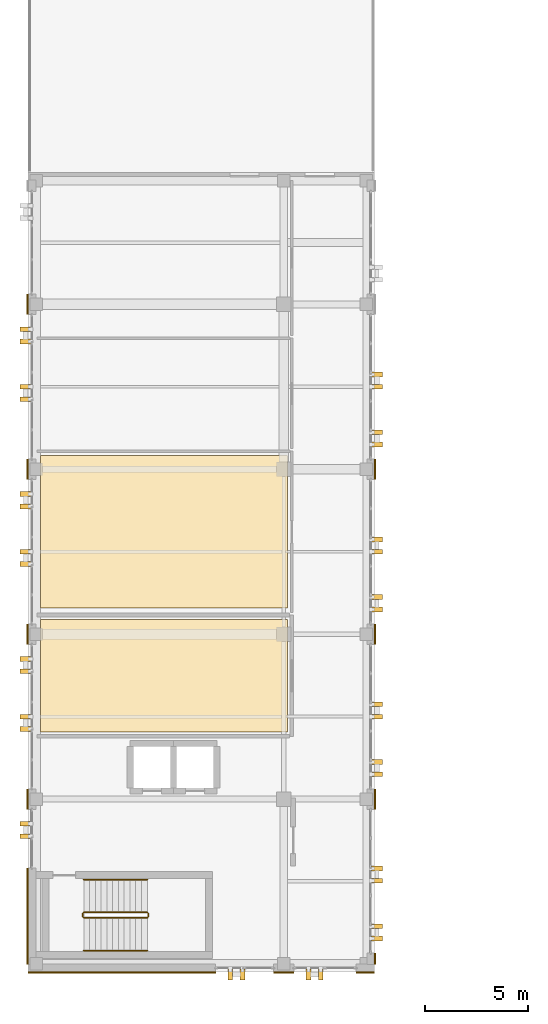
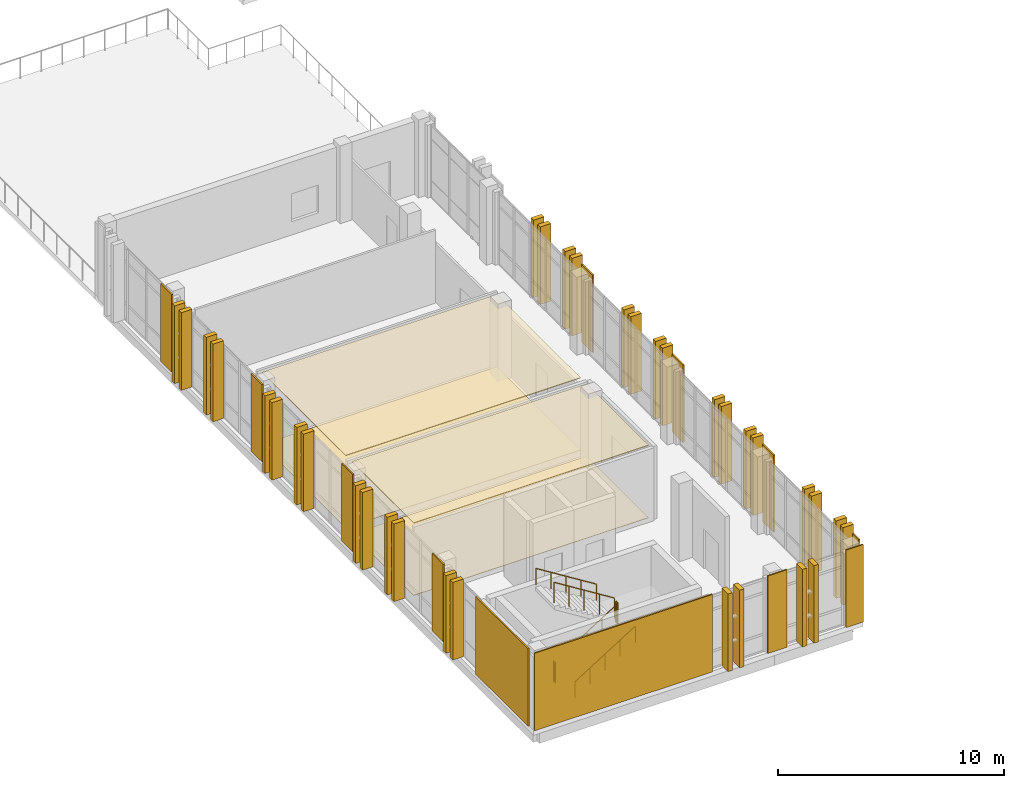
# One storey, part 69 of 77: 50 coverings, 6 railings.
"""IFC4 building model written with IfcOpenShell, lengths in metres."""

from ifc_helpers import new_model, si_unit, direction, frame, origin, origin_2d, place, context, subcontext, project, spatial, polyline, rectangle, circle, outline, extrude, material, layer, layer_set, type_object, element, save


model = new_model("IFC4")

# Units and contexts
model_context = context("Model", 3, precision=1e-05, world=origin(), true_north=direction((0.0, 1.0)))
body_context = subcontext(model_context, "Body", "Model", "MODEL_VIEW")
ifc_project = project(units=[si_unit("LENGTHUNIT", "METRE"), si_unit("AREAUNIT", "SQUARE_METRE"), si_unit("VOLUMEUNIT", "CUBIC_METRE"), si_unit("PLANEANGLEUNIT", "RADIAN"), si_unit("MASSUNIT", "GRAM", prefix="KILO")], contexts=[model_context])

# Site, building, storey
site_placement = place(None, origin())
site = spatial("IfcSite", under=ifc_project, at=site_placement, CompositionType="ELEMENT")
building_placement = place(site_placement, origin())
building = spatial("IfcBuilding", under=site, at=building_placement, Name="Qalavern Law Courts", CompositionType="ELEMENT")
storey_placement = place(building_placement, frame((0.0, 0.0, 27.0)))
storey = spatial("IfcBuildingStorey", under=building, at=storey_placement, Name="L06", CompositionType="ELEMENT", Elevation=27.0)

# Coverings
ifc_material_1 = material(Name="Precast concrete C40/50", Category="concrete")
ifc_layer_1 = layer(ifc_material_1, 0.22998046875)
ifc_layer_set_1 = layer_set([ifc_layer_1], Name="Precast concrete C40/50")
covering_type_1 = type_object("IfcCoveringType", Name="ENV-BLD-2", PredefinedType="CLADDING", material=ifc_layer_set_1)
for number, where, z_axis, x_axis, name in (
    (1, (11.800048828125, 40.89501953125, 0.005126953125), (0.0, 0.0, 1.0), (0.0, -1.0, 0.0), "Absheron stone facade blade 0459"),
    (2, (12.39990234375, 40.89501953125, 0.005126953125), (0.0, 0.0, 1.0), (0.0, -1.0, 0.0), "Absheron stone facade blade 0460"),
    (3, (15.60009765625, 40.89501953125, 0.005126953125), (0.0, 0.0, 1.0), (0.0, -1.0, 0.0), "Absheron stone facade blade 0461"),
    (4, (16.199951171875, 40.89501953125, 0.005126953125), (0.0, 0.0, 1.0), (0.0, -1.0, 0.0), "Absheron stone facade blade 0462"),
    (5, (18.925048828125, 42.635009765625, 0.005126953125), (0.0, 0.0, 1.0), (1.0, 0.0, 0.0), "Absheron stone facade blade 0463"),
    (6, (18.925048828125, 43.235107421875, 0.005126953125), (0.0, 0.0, 1.0), (1.0, 0.0, 0.0), "Absheron stone facade blade 0464"),
    (7, (18.925048828125, 45.43505859375, 0.005126953125), (0.0, 0.0, 1.0), (1.0, 0.0, 0.0), "Absheron stone facade blade 0465"),
    (8, (18.925048828125, 46.034912109375, 0.005126953125), (0.0, 0.0, 1.0), (1.0, 0.0, 0.0), "Absheron stone facade blade 0466"),
    (9, (18.925048828125, 50.60009765625, 0.005126953125), (0.0, 0.0, 1.0), (1.0, 0.0, 0.0), "Absheron stone facade blade 0467"),
    (10, (18.925048828125, 51.199951171875, 0.005126953125), (0.0, 0.0, 1.0), (1.0, 0.0, 0.0), "Absheron stone facade blade 0468"),
    (11, (18.925048828125, 53.39990234375, 0.005126953125), (0.0, 0.0, 1.0), (1.0, 0.0, 0.0), "Absheron stone facade blade 0469"),
    (12, (18.925048828125, 54.0, 0.005126953125), (0.0, 0.0, 1.0), (1.0, 0.0, 0.0), "Absheron stone facade blade 0470"),
    (13, (18.925048828125, 58.60009765625, 0.005126953125), (0.0, 0.0, 1.0), (1.0, 0.0, 0.0), "Absheron stone facade blade 0471"),
    (14, (18.925048828125, 59.199951171875, 0.005126953125), (0.0, 0.0, 1.0), (1.0, 0.0, 0.0), "Absheron stone facade blade 0472"),
    (15, (18.925048828125, 61.39990234375, 0.005126953125), (0.0, 0.0, 1.0), (1.0, 0.0, 0.0), "Absheron stone facade blade 0473"),
    (16, (18.925048828125, 62.0, 0.005126953125), (0.0, 0.0, 1.0), (1.0, 0.0, 0.0), "Absheron stone facade blade 0474"),
    (17, (18.925048828125, 66.60009765625, 0.005126953125), (0.0, 0.0, 1.0), (1.0, 0.0, 0.0), "Absheron stone facade blade 0475"),
    (18, (18.925048828125, 67.199951171875, 0.005126953125), (0.0, 0.0, 1.0), (1.0, 0.0, 0.0), "Absheron stone facade blade 0476"),
    (19, (18.925048828125, 69.39990234375, 0.005126953125), (0.0, 0.0, 1.0), (1.0, 0.0, 0.0), "Absheron stone facade blade 0477"),
    (20, (18.925048828125, 70.0, 0.005126953125), (0.0, 0.0, 1.0), (1.0, 0.0, 0.0), "Absheron stone facade blade 0478"),
    (21, (1.875, 72.199951171875, 0.005126953125), (0.0, 0.0, 1.0), (-1.0, 0.0, 0.0), "Absheron stone facade blade 0483"),
    (22, (1.875, 71.60009765625, 0.005126953125), (0.0, 0.0, 1.0), (-1.0, 0.0, 0.0), "Absheron stone facade blade 0484"),
    (23, (1.875, 69.39990234375, 0.005126953125), (0.0, 0.0, 1.0), (-1.0, 0.0, 0.0), "Absheron stone facade blade 0485"),
    (24, (1.875, 68.800048828125, 0.005126953125), (0.0, 0.0, 1.0), (-1.0, 0.0, 0.0), "Absheron stone facade blade 0486"),
    (25, (1.875, 64.199951171875, 0.005126953125), (0.0, 0.0, 1.0), (-1.0, 0.0, 0.0), "Absheron stone facade blade 0487"),
    (26, (1.875, 63.60009765625, 0.005126953125), (0.0, 0.0, 1.0), (-1.0, 0.0, 0.0), "Absheron stone facade blade 0488"),
    (27, (1.875, 61.39990234375, 0.005126953125), (0.0, 0.0, 1.0), (-1.0, 0.0, 0.0), "Absheron stone facade blade 0489"),
    (28, (1.875, 60.800048828125, 0.005126953125), (0.0, 0.0, 1.0), (-1.0, 0.0, 0.0), "Absheron stone facade blade 0490"),
    (29, (1.875, 56.199951171875, 0.005126953125), (0.0, 0.0, 1.0), (-1.0, 0.0, 0.0), "Absheron stone facade blade 0491"),
    (30, (1.875, 55.60009765625, 0.005126953125), (0.0, 0.0, 1.0), (-1.0, 0.0, 0.0), "Absheron stone facade blade 0492"),
    (31, (1.875, 53.39990234375, 0.005126953125), (0.0, 0.0, 1.0), (-1.0, 0.0, 0.0), "Absheron stone facade blade 0493"),
    (32, (1.875, 52.800048828125, 0.005126953125), (0.0, 0.0, 1.0), (-1.0, 0.0, 0.0), "Absheron stone facade blade 0494"),
    (33, (1.875, 48.199951171875, 0.005126953125), (0.0, 0.0, 1.0), (-1.0, 0.0, 0.0), "Absheron stone facade blade 0495"),
    (34, (1.875, 47.60009765625, 0.005126953125), (0.0, 0.0, 1.0), (-1.0, 0.0, 0.0), "Absheron stone facade blade 0496"),
):
    element("IfcCovering", number, at=place(storey_placement, frame(where, z_axis=z_axis, x_axis=x_axis)), inside=storey, type_object=covering_type_1, Name=name, PredefinedType="CLADDING", context=body_context, shape_type="SweptSolid", body=[
        extrude(rectangle(XDim=0.5400390625, YDim=0.22998046875, at=origin_2d()), origin(), (0.0, 0.0, 1.0), 4.18994140625),
    ])
ifc_layer_2 = layer(ifc_material_1, 0.072021484375)
ifc_layer_set_2 = layer_set([ifc_layer_2], Name="Precast concrete C40/50")
covering_type_2 = type_object("IfcCoveringType", Name="ENV-CLD-2", PredefinedType="CLADDING", material=ifc_layer_set_2)
covering_1_placement = place(storey_placement, frame((6.550048828125, 40.987060546875, 0.01025390625), z_axis=(0.0, 0.0, 1.0), x_axis=(1.0, 0.0, 0.0)))
element("IfcCovering", 35, at=covering_1_placement, inside=storey, type_object=covering_type_2, Name="V3 Absheron limestone pier facing L06 south 1", PredefinedType="CLADDING", context=body_context, shape_type="SweptSolid", body=[
    extrude(rectangle(XDim=9.080078125, YDim=0.072021484375, at=origin_2d()), origin(), (0.0, 0.0, 1.0), 4.179931640625),
])
covering_2_placement = place(storey_placement, frame((14.39990234375, 40.987060546875, 0.01025390625), z_axis=(0.0, 0.0, 1.0), x_axis=(1.0, 0.0, 0.0)))
element("IfcCovering", 36, at=covering_2_placement, inside=storey, type_object=covering_type_2, Name="V3 Absheron limestone pier facing L06 south 2", PredefinedType="CLADDING", context=body_context, shape_type="SweptSolid", body=[
    extrude(rectangle(XDim=0.97998046875, YDim=0.072021484375, at=origin_2d()), origin(), (0.0, 0.0, 1.0), 4.179931640625),
])
covering_3_placement = place(storey_placement, frame((18.35009765625, 40.987060546875, 0.01025390625), z_axis=(0.0, 0.0, 1.0), x_axis=(1.0, 0.0, 0.0)))
element("IfcCovering", 37, at=covering_3_placement, inside=storey, type_object=covering_type_2, Name="V3 Absheron limestone pier facing L06 south 3", PredefinedType="CLADDING", context=body_context, shape_type="SweptSolid", body=[
    extrude(rectangle(XDim=0.8798828125, YDim=0.072021484375, at=origin_2d()), origin(), (0.0, 0.0, 1.0), 4.179931640625),
])
covering_4_placement = place(storey_placement, frame((18.8330078125, 41.659912109375, 0.01025390625), z_axis=(0.0, 0.0, 1.0), x_axis=(0.0, 1.0, 0.0)))
element("IfcCovering", 38, at=covering_4_placement, inside=storey, type_object=covering_type_2, Name="V3 Absheron limestone pier facing L06 east 1", PredefinedType="CLADDING", context=body_context, shape_type="SweptSolid", body=[
    extrude(rectangle(XDim=0.530029296875, YDim=0.072021484375, at=origin_2d()), origin(), (0.0, 0.0, 1.0), 4.179931640625),
])
for number, where, z_axis, x_axis, name in (
    (39, (18.8330078125, 49.39990234375, 0.01025390625), (0.0, 0.0, 1.0), (0.0, 1.0, 0.0), "V3 Absheron limestone pier facing L06 east 2"),
    (40, (18.8330078125, 57.39990234375, 0.01025390625), (0.0, 0.0, 1.0), (0.0, 1.0, 0.0), "V3 Absheron limestone pier facing L06 east 3"),
    (41, (18.8330078125, 65.39990234375, 0.01025390625), (0.0, 0.0, 1.0), (0.0, 1.0, 0.0), "V3 Absheron limestone pier facing L06 east 4"),
    (42, (1.967041015625, 73.39990234375, 0.01025390625), (0.0, 0.0, 1.0), (0.0, -1.0, 0.0), "V3 Absheron limestone pier facing L06 west 2"),
    (43, (1.967041015625, 65.39990234375, 0.01025390625), (0.0, 0.0, 1.0), (0.0, -1.0, 0.0), "V3 Absheron limestone pier facing L06 west 3"),
    (44, (1.967041015625, 57.39990234375, 0.01025390625), (0.0, 0.0, 1.0), (0.0, -1.0, 0.0), "V3 Absheron limestone pier facing L06 west 4"),
    (45, (1.967041015625, 49.39990234375, 0.01025390625), (0.0, 0.0, 1.0), (0.0, -1.0, 0.0), "V3 Absheron limestone pier facing L06 west 5"),
):
    element("IfcCovering", number, at=place(storey_placement, frame(where, z_axis=z_axis, x_axis=x_axis)), inside=storey, type_object=covering_type_2, Name=name, PredefinedType="CLADDING", context=body_context, shape_type="SweptSolid", body=[
        extrude(rectangle(XDim=0.97998046875, YDim=0.072021484375, at=origin_2d()), origin(), (0.0, 0.0, 1.0), 4.179931640625),
    ])
covering_5_placement = place(storey_placement, frame((1.967041015625, 43.717529296875, 0.01025390625), z_axis=(0.0, 0.0, 1.0), x_axis=(0.0, -1.0, 0.0)))
element("IfcCovering", 46, at=covering_5_placement, inside=storey, type_object=covering_type_2, Name="V3 Absheron limestone pier facing L06 west 6", PredefinedType="CLADDING", context=body_context, shape_type="SweptSolid", body=[
    extrude(rectangle(XDim=4.64501953125, YDim=0.072021484375, at=origin_2d()), origin(), (0.0, 0.0, 1.0), 4.179931640625),
])
ifc_material_2 = material(Name="Perforated gypsum and mineral-wool acoustic ceiling")
ifc_layer_3 = layer(ifc_material_2, 0.0380859375)
ifc_layer_set_3 = layer_set([ifc_layer_3], Name="Perforated gypsum and mineral-wool acoustic ceiling")
covering_type_3 = type_object("IfcCoveringType", Name="INT-CEIL-1", PredefinedType="CEILING", material=ifc_layer_set_3)
covering_6_placement = place(storey_placement, frame((0.0, 0.0, 3.89697265625)))
element("IfcCovering", 47, at=covering_6_placement, inside=storey, type_object=covering_type_3, Name="Criminal Motions Courtroom acoustic ceiling L06", PredefinedType="CEILING", context=body_context, shape_type="SweptSolid", body=[
    extrude(outline(polyline([(2.590087890625, 52.64990234375), (14.580078125, 52.64990234375), (14.580078125, 58.1201171875), (2.590087890625, 58.1201171875), (2.590087890625, 52.64990234375)])), origin(), (0.0, 0.0, 1.0), 0.0380859375),
])
ifc_layer_4 = layer(ifc_material_2, 0.0458984375)
ifc_layer_set_4 = layer_set([ifc_layer_4], Name="Perforated gypsum and mineral-wool acoustic ceiling")
covering_type_4 = type_object("IfcCoveringType", Name="INT-CEIL-2", PredefinedType="CEILING", material=ifc_layer_set_4)
covering_7_placement = place(storey_placement, frame((0.0, 0.0, 3.888916015625)))
element("IfcCovering", 48, at=covering_7_placement, inside=storey, type_object=covering_type_4, Name="Judges' Chambers acoustic ceiling L06", PredefinedType="CEILING", context=body_context, shape_type="SweptSolid", body=[
    extrude(outline(polyline([(2.590087890625, 58.659912109375), (14.580078125, 58.659912109375), (14.580078125, 66.072998046875), (2.590087890625, 66.072998046875), (2.590087890625, 58.659912109375)])), origin(), (0.0, 0.0, 1.0), 0.046142578125),
])
ifc_material_3 = material(Name="Acoustic engineered oak courtroom flooring")
ifc_layer_5 = layer(ifc_material_3, 0.02197265625)
ifc_layer_set_5 = layer_set([ifc_layer_5], Name="Acoustic engineered oak courtroom flooring")
covering_type_5 = type_object("IfcCoveringType", Name="INT-FLR-1", PredefinedType="FLOORING", material=ifc_layer_set_5)
covering_8_placement = place(storey_placement, origin())
element("IfcCovering", 49, at=covering_8_placement, inside=storey, type_object=covering_type_5, Name="Criminal Motions Courtroom finish flooring L06", PredefinedType="FLOORING", context=body_context, shape_type="SweptSolid", body=[
    extrude(outline(polyline([(2.590087890625, 52.64990234375), (14.580078125, 52.64990234375), (14.580078125, 58.1201171875), (2.590087890625, 58.1201171875), (2.590087890625, 52.64990234375)])), origin(), (0.0, 0.0, 1.0), 0.02197265625),
])
ifc_material_4 = material(Name="Polished Absheron stone terrazzo flooring", Category="masonry")
ifc_layer_6 = layer(ifc_material_4, 0.030029296875)
ifc_layer_set_6 = layer_set([ifc_layer_6], Name="Polished Absheron stone terrazzo flooring")
covering_type_6 = type_object("IfcCoveringType", Name="INT-FLR-2", PredefinedType="FLOORING", material=ifc_layer_set_6)
covering_9_placement = place(storey_placement, origin())
element("IfcCovering", 50, at=covering_9_placement, inside=storey, type_object=covering_type_6, Name="Judges' Chambers finish flooring L06", PredefinedType="FLOORING", context=body_context, shape_type="SweptSolid", body=[
    extrude(outline(polyline([(2.590087890625, 58.659912109375), (14.580078125, 58.659912109375), (14.580078125, 66.072998046875), (2.590087890625, 66.072998046875), (2.590087890625, 58.659912109375)])), origin(), (0.0, 0.0, 1.0), 0.030029296875),
])

# Railings
ifc_material_5 = material(Name="Steel S355", Category="steel")
railing_type_1 = type_object("IfcRailingType", Name="INT-GUARD-1120", PredefinedType="BALUSTRADE", material=ifc_material_5)
railing_1_placement = place(storey_placement, frame((4.699951171875, 43.64990234375, 0.175048828125)))
element("IfcRailing", 51, at=railing_1_placement, inside=storey, type_object=railing_type_1, Name="L06 ST-K2 stair guard 1", PredefinedType="BALUSTRADE", context=body_context, shape_type="SweptSolid", body=[
    extrude(circle(Radius=0.02392578125, at=origin_2d()), frame((0.0, 0.0, 1.09619140625), z_axis=(0.847998304005, 0.0, 0.529998940003), x_axis=(0.0, 1.0, 0.0)), (0.0, 0.0, 1.0), 3.632080078125),
    extrude(circle(Radius=0.02099609375, at=origin_2d()), origin(), (0.0, 0.0, 1.0), 1.072021484375),
    extrude(circle(Radius=0.02099609375, at=origin_2d()), frame((0.77001953125, 0.0, 0.481201171875)), (0.0, 0.0, 1.0), 1.072021484375),
    extrude(circle(Radius=0.02099609375, at=origin_2d()), frame((1.5400390625, 0.0, 0.96240234375)), (0.0, 0.0, 1.0), 1.072021484375),
    extrude(circle(Radius=0.02099609375, at=origin_2d()), frame((2.31005859375, 0.0, 1.44384765625)), (0.0, 0.0, 1.0), 1.072021484375),
    extrude(circle(Radius=0.02099609375, at=origin_2d()), frame((3.080078125, 0.0, 1.925048828125)), (0.0, 0.0, 1.0), 1.072021484375),
])
railing_2_placement = place(storey_placement, frame((7.830078125, 43.699951171875, 2.10009765625)))
element("IfcRailing", 52, at=railing_2_placement, inside=storey, type_object=railing_type_1, Name="L06 ST-K2 stair guard 2", PredefinedType="BALUSTRADE", context=body_context, shape_type="SweptSolid", body=[
    extrude(circle(Radius=0.02392578125, at=origin_2d()), frame((0.0, 0.0, 1.09619140625), z_axis=(0.0, 1.0, 0.0), x_axis=(-1.0, 0.0, 0.0)), (0.0, 0.0, 1.0), 0.150146484375),
    extrude(circle(Radius=0.02099609375, at=origin_2d()), origin(), (0.0, 0.0, 1.0), 1.072021484375),
    extrude(circle(Radius=0.02099609375, at=origin_2d()), frame((0.0, 0.150146484375, 0.0)), (0.0, 0.0, 1.0), 1.072021484375),
])
railing_3_placement = place(storey_placement, frame((7.780029296875, 43.89990234375, 2.27490234375)))
element("IfcRailing", 53, at=railing_3_placement, inside=storey, type_object=railing_type_1, Name="L06 ST-K2 stair guard 3", PredefinedType="BALUSTRADE", context=body_context, shape_type="SweptSolid", body=[
    extrude(circle(Radius=0.02392578125, at=origin_2d()), frame((0.0, 0.0, 1.09619140625), z_axis=(-0.847998304005, 0.0, 0.529998940003), x_axis=(0.0, -1.0, 0.0)), (0.0, 0.0, 1.0), 3.632080078125),
    extrude(circle(Radius=0.02099609375, at=origin_2d()), origin(), (0.0, 0.0, 1.0), 1.072021484375),
    extrude(circle(Radius=0.02099609375, at=origin_2d()), frame((-0.77001953125, 0.0, 0.481201171875)), (0.0, 0.0, 1.0), 1.072021484375),
    extrude(circle(Radius=0.02099609375, at=origin_2d()), frame((-1.5400390625, 0.0, 0.96240234375)), (0.0, 0.0, 1.0), 1.072021484375),
    extrude(circle(Radius=0.02099609375, at=origin_2d()), frame((-2.31005859375, 0.0, 1.44384765625)), (0.0, 0.0, 1.0), 1.072021484375),
    extrude(circle(Radius=0.02099609375, at=origin_2d()), frame((-3.080078125, 0.0, 1.925048828125)), (0.0, 0.0, 1.0), 1.072021484375),
])
railing_4_placement = place(storey_placement, frame((4.64990234375, 43.699951171875, 0.0)))
element("IfcRailing", 54, at=railing_4_placement, inside=storey, type_object=railing_type_1, Name="L06 ST-K2 stair guard 4", PredefinedType="BALUSTRADE", context=body_context, shape_type="SweptSolid", body=[
    extrude(circle(Radius=0.02392578125, at=origin_2d()), frame((0.0, 0.0, 1.09619140625), z_axis=(0.0, 1.0, 0.0), x_axis=(-1.0, 0.0, 0.0)), (0.0, 0.0, 1.0), 0.150146484375),
    extrude(circle(Radius=0.02099609375, at=origin_2d()), origin(), (0.0, 0.0, 1.0), 1.072021484375),
    extrude(circle(Radius=0.02099609375, at=origin_2d()), frame((0.0, 0.150146484375, 0.0)), (0.0, 0.0, 1.0), 1.072021484375),
])
railing_type_2 = type_object("IfcRailingType", Name="INT-HRAIL-920", PredefinedType="HANDRAIL", material=ifc_material_5)
railing_5_placement = place(storey_placement, frame((4.699951171875, 42.050048828125, 0.175048828125)))
element("IfcRailing", 55, at=railing_5_placement, inside=storey, type_object=railing_type_2, Name="L06 ST-K2 stair handrail 1", PredefinedType="HANDRAIL", context=body_context, shape_type="SweptSolid", body=[
    extrude(circle(Radius=0.02392578125, at=origin_2d()), frame((0.0, 0.0, 0.8759765625), z_axis=(0.847998304005, 0.0, 0.529998940003), x_axis=(0.0, 1.0, 0.0)), (0.0, 0.0, 1.0), 3.632080078125),
    extrude(circle(Radius=0.02099609375, at=origin_2d()), origin(), (0.0, 0.0, 1.0), 0.851806640625),
    extrude(circle(Radius=0.02099609375, at=origin_2d()), frame((0.77001953125, 0.0, 0.481201171875)), (0.0, 0.0, 1.0), 0.851806640625),
    extrude(circle(Radius=0.02099609375, at=origin_2d()), frame((1.5400390625, 0.0, 0.96240234375)), (0.0, 0.0, 1.0), 0.851806640625),
    extrude(circle(Radius=0.02099609375, at=origin_2d()), frame((2.31005859375, 0.0, 1.44384765625)), (0.0, 0.0, 1.0), 0.851806640625),
    extrude(circle(Radius=0.02099609375, at=origin_2d()), frame((3.080078125, 0.0, 1.925048828125)), (0.0, 0.0, 1.0), 0.851806640625),
])
railing_6_placement = place(storey_placement, frame((7.780029296875, 45.5, 2.27490234375)))
element("IfcRailing", 56, at=railing_6_placement, inside=storey, type_object=railing_type_2, Name="L06 ST-K2 stair handrail 2", PredefinedType="HANDRAIL", context=body_context, shape_type="SweptSolid", body=[
    extrude(circle(Radius=0.02392578125, at=origin_2d()), frame((0.0, 0.0, 0.8759765625), z_axis=(-0.847998304005, 0.0, 0.529998940003), x_axis=(0.0, -1.0, 0.0)), (0.0, 0.0, 1.0), 3.632080078125),
    extrude(circle(Radius=0.02099609375, at=origin_2d()), origin(), (0.0, 0.0, 1.0), 0.851806640625),
    extrude(circle(Radius=0.02099609375, at=origin_2d()), frame((-0.77001953125, 0.0, 0.481201171875)), (0.0, 0.0, 1.0), 0.851806640625),
    extrude(circle(Radius=0.02099609375, at=origin_2d()), frame((-1.5400390625, 0.0, 0.96240234375)), (0.0, 0.0, 1.0), 0.851806640625),
    extrude(circle(Radius=0.02099609375, at=origin_2d()), frame((-2.31005859375, 0.0, 1.44384765625)), (0.0, 0.0, 1.0), 0.851806640625),
    extrude(circle(Radius=0.02099609375, at=origin_2d()), frame((-3.080078125, 0.0, 1.925048828125)), (0.0, 0.0, 1.0), 0.851806640625),
])

save(model, "model.ifc")
